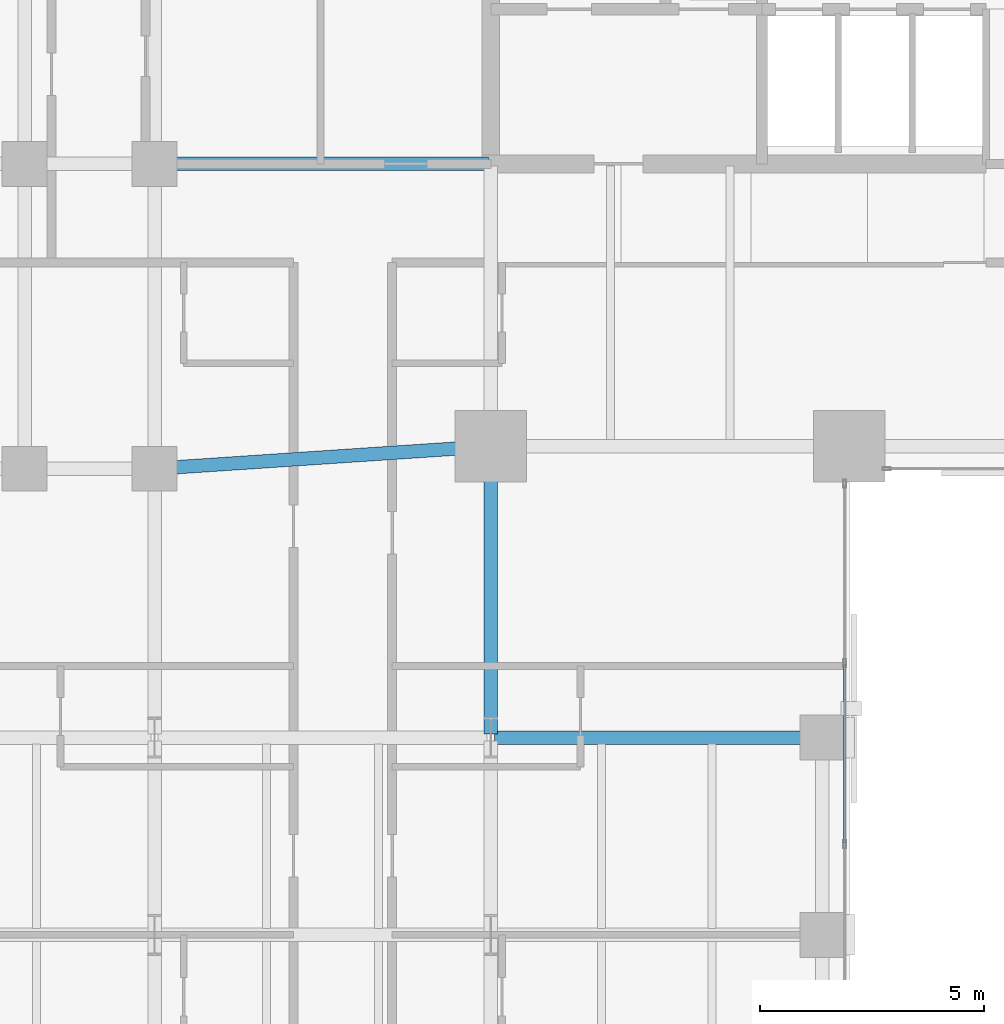
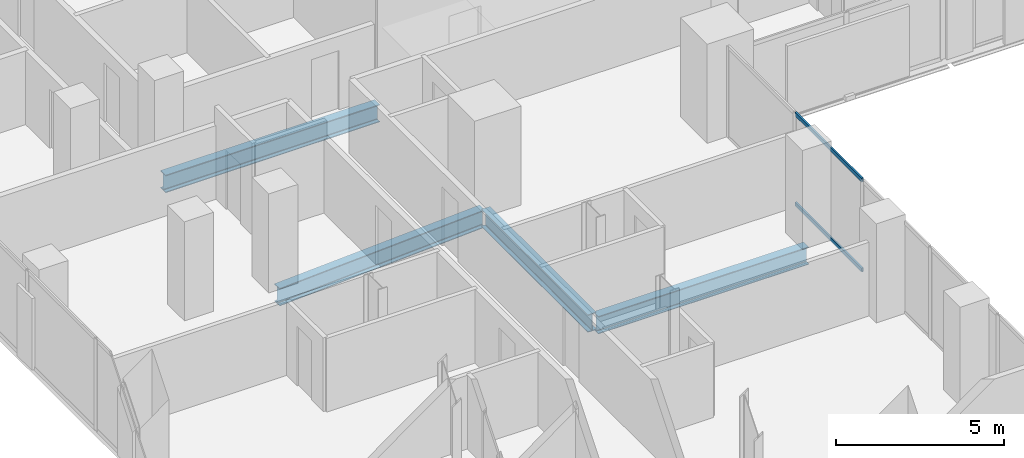
# One storey, part 11 of 31: 4 beams, 2 members, 1 element without a shape of its own.
"""IFC4 building model written with IfcOpenShell, lengths in metres."""

from ifc_helpers import new_model, si_unit, direction, frame, origin, origin_2d, place, context, subcontext, project, spatial, hollow_rectangle, i_section, extrude, material, layer, layer_set, material_profile, profile_set, type_object, element, aggregate, save


model = new_model("IFC4")

# Units and contexts
model_context = context("Model", 3, precision=1e-05, world=origin(), true_north=direction((0.0, 1.0)))
body_context = subcontext(model_context, "Body", "Model", "MODEL_VIEW")
ifc_project = project(units=[si_unit("LENGTHUNIT", "METRE"), si_unit("AREAUNIT", "SQUARE_METRE"), si_unit("VOLUMEUNIT", "CUBIC_METRE"), si_unit("PLANEANGLEUNIT", "RADIAN"), si_unit("MASSUNIT", "GRAM", prefix="KILO")], contexts=[model_context])

# Site, building, storey
site_placement = place(None, origin())
site = spatial("IfcSite", under=ifc_project, at=site_placement, CompositionType="ELEMENT")
building_placement = place(site_placement, origin())
building = spatial("IfcBuilding", under=site, at=building_placement, Name="Catumbela Crestline Tower", CompositionType="ELEMENT")
storey_placement = place(building_placement, frame((0.0, 0.0, 25.8)))
storey = spatial("IfcBuildingStorey", under=building, at=storey_placement, Name="L05", CompositionType="ELEMENT", Elevation=25.8)

# Beams
ifc_material_1 = material(Name="Structural steel S355J2", Category="steel")
ifc_material_profile_1 = material_profile(ifc_material_1, i_section(OverallWidth=0.3, OverallDepth=0.64, WebThickness=0.0135, FlangeThickness=0.026, FilletRadius=0.027, at=origin_2d()), Name="HEA 650")
ifc_profile_set_1 = profile_set([ifc_material_profile_1], Name="Structural steel S355J2")
beam_type = type_object("IfcBeamType", Name="BG-HEA650", PredefinedType="BEAM", material=ifc_profile_set_1)
beam_1_placement = place(storey_placement, frame((8.5798, 24.0053, -0.58), z_axis=(0.997784796964, 0.066524423687, 0.0), x_axis=(-0.066524423687, 0.997784796964, 0.0)))
element("IfcBeam", 1, at=beam_1_placement, inside=storey, type_object=beam_type, Name="L05 Beam BM-L05-S03", PredefinedType="BEAM", context=body_context, shape_type="SweptSolid", body=[
    extrude(i_section(OverallWidth=0.3, OverallDepth=0.64, WebThickness=0.0135, FlangeThickness=0.026, FilletRadius=0.027, at=origin_2d()), origin(), (0.0, 0.0, 1.0), 7.3567),
])
beam_2_placement = place(storey_placement, frame((8.58, 30.8, -0.58), z_axis=(1.0, 0.0, 0.0), x_axis=(0.0, 1.0, 0.0)))
element("IfcBeam", 2, at=beam_2_placement, inside=storey, type_object=beam_type, Name="L05 Beam BM-L05-M09", PredefinedType="BEAM", context=body_context, shape_type="SweptSolid", body=[
    extrude(i_section(OverallWidth=0.3, OverallDepth=0.64, WebThickness=0.0135, FlangeThickness=0.026, FilletRadius=0.027, at=origin_2d()), origin(), (0.0, 0.0, 1.0), 7.37),
])
beam_3_placement = place(storey_placement, frame((16.08, 18.0, -0.58), z_axis=(1.0, 0.0, 0.0), x_axis=(0.0, 1.0, 0.0)))
element("IfcBeam", 3, at=beam_3_placement, inside=storey, type_object=beam_type, Name="L05 Beam BM-L05-WEW56", PredefinedType="BEAM", context=body_context, shape_type="SweptSolid", body=[
    extrude(i_section(OverallWidth=0.3, OverallDepth=0.64, WebThickness=0.0135, FlangeThickness=0.026, FilletRadius=0.027, at=origin_2d()), origin(), (0.0, 0.0, 1.0), 7.24),
])
beam_4_placement = place(storey_placement, frame((16.0, 18.08, -0.58), z_axis=(0.0, 1.0, 0.0), x_axis=(-1.0, 0.0, 0.0)))
element("IfcBeam", 4, at=beam_4_placement, inside=storey, type_object=beam_type, Name="L05 Beam BM-L05-WNS67", PredefinedType="BEAM", context=body_context, shape_type="SweptSolid", body=[
    extrude(i_section(OverallWidth=0.3, OverallDepth=0.64, WebThickness=0.0135, FlangeThickness=0.026, FilletRadius=0.027, at=origin_2d()), origin(), (0.0, 0.0, 1.0), 6.34),
])

# Curtain wall, members
ifc_material_2 = material(Name="Aluminium alloy AW-6060-T66", Category="aluminium")
ifc_layer = layer(ifc_material_2, 0.18, Name="Aluminium alloy AW-6060-T66")
ifc_layer_set = layer_set([ifc_layer], Name="Aluminium alloy AW-6060-T66")
curtain_wall_type = type_object("IfcCurtainWallType", Name="CWU-Z1", PredefinedType="USERDEFINED", material=ifc_layer_set)
curtain_wall_placement = place(storey_placement, origin())
curtain_wall = element("IfcCurtainWall", 5, at=curtain_wall_placement, inside=storey, type_object=curtain_wall_type, Name="L05 Unitised Curtain Wall CW-L05-E2S1", ObjectType="UNITISED", PredefinedType="USERDEFINED")
ifc_material_profile_2 = material_profile(ifc_material_2, hollow_rectangle(XDim=0.06, YDim=0.14, WallThickness=0.004, at=origin_2d()), Name="ALU 140x60x4")
ifc_profile_set_2 = profile_set([ifc_material_profile_2], Name="Aluminium alloy AW-6060-T66")
member_type = type_object("IfcMemberType", Name="TRN-140X60", PredefinedType="USERDEFINED", material=ifc_profile_set_2)
member_1_placement = place(storey_placement, frame((23.9, 15.6525, 0.03), z_axis=(0.0, 1.0, 0.0), x_axis=(-1.0, 0.0, 0.0)))
member_1 = element("IfcMember", 6, at=member_1_placement, type_object=member_type, Name="CWU-Z1 transom 4.1", ObjectType="TRANSOM", PredefinedType="USERDEFINED", context=body_context, shape_type="SweptSolid", body=[
    extrude(hollow_rectangle(XDim=0.06, YDim=0.14, WallThickness=0.004, at=origin_2d()), origin(), (0.0, 0.0, 1.0), 3.975),
])
member_2_placement = place(storey_placement, frame((23.9, 15.6525, 3.3), z_axis=(0.0, 1.0, 0.0), x_axis=(-1.0, 0.0, 0.0)))
member_2 = element("IfcMember", 7, at=member_2_placement, type_object=member_type, Name="CWU-Z1 transom 4.2", ObjectType="TRANSOM", PredefinedType="USERDEFINED", context=body_context, shape_type="SweptSolid", body=[
    extrude(hollow_rectangle(XDim=0.06, YDim=0.14, WallThickness=0.004, at=origin_2d()), origin(), (0.0, 0.0, 1.0), 3.975),
])
aggregate(curtain_wall, [member_1, member_2])

save(model, "model.ifc")
